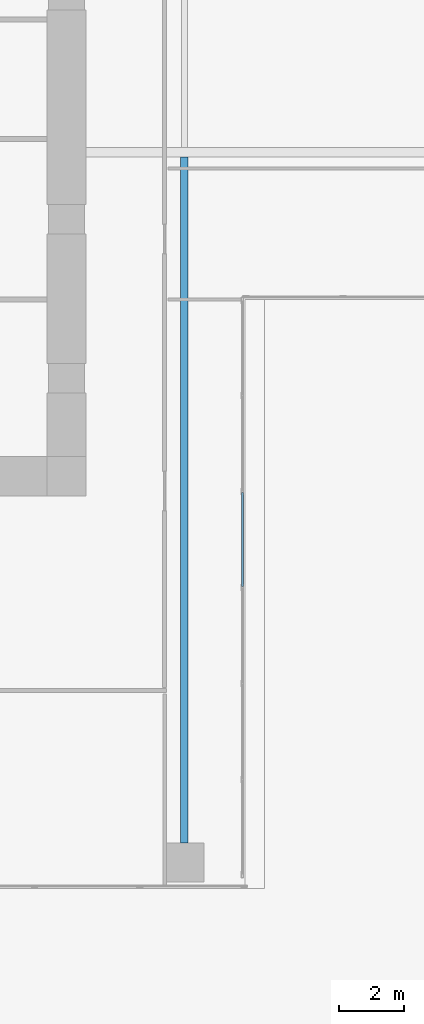
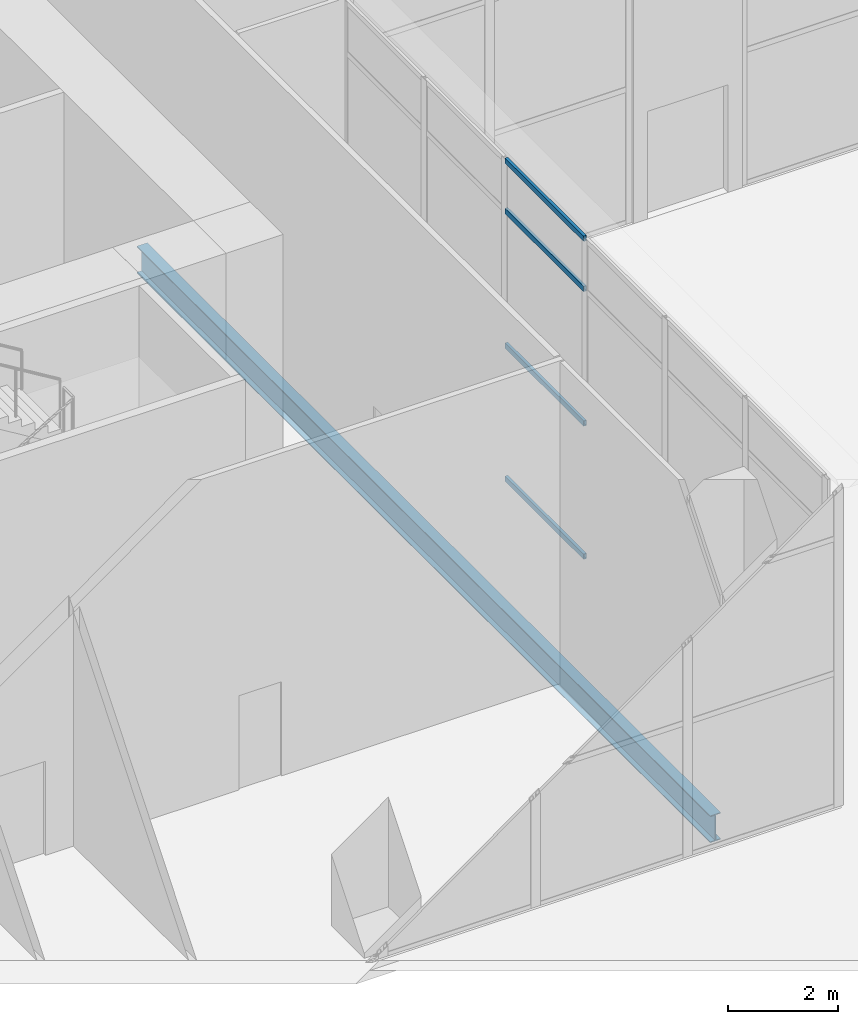
# One storey, part 8 of 52: 4 members, 1 beam, 1 element without a shape of its own.
"""IFC4 building model written with IfcOpenShell, lengths in metres."""

from ifc_helpers import new_model, si_unit, direction, frame, origin, origin_2d, place, context, subcontext, project, spatial, hollow_rectangle, i_section, extrude, source, transform, mapped, material, material_profile, profile_set, type_object, element, aggregate, save


model = new_model("IFC4")

# Units and contexts
model_context = context("Model", 3, precision=1e-05, world=origin(), true_north=direction((0.0, 1.0)))
body_context = subcontext(model_context, "Body", "Model", "MODEL_VIEW")
ifc_project = project(units=[si_unit("LENGTHUNIT", "METRE"), si_unit("AREAUNIT", "SQUARE_METRE"), si_unit("VOLUMEUNIT", "CUBIC_METRE"), si_unit("PLANEANGLEUNIT", "RADIAN"), si_unit("MASSUNIT", "GRAM", prefix="KILO")], contexts=[model_context])

# Site, building, storey
site_placement = place(None, origin())
site = spatial("IfcSite", under=ifc_project, at=site_placement, CompositionType="ELEMENT")
building_placement = place(site_placement, origin())
building = spatial("IfcBuilding", under=site, at=building_placement, Name="Khomas Fold Tower", CompositionType="ELEMENT")
storey_placement = place(building_placement, origin())
storey = spatial("IfcBuildingStorey", under=building, at=storey_placement, Name="L00", CompositionType="ELEMENT", Elevation=0.0)

# Beam
ifc_material_1 = material(Name="Steel S355", Category="steel")
ifc_material_profile_1 = material_profile(ifc_material_1, i_section(OverallWidth=0.219970703125, OverallDepth=0.60009765625, WebThickness=0.011962890625, FlangeThickness=0.01904296875, at=origin_2d()), Name="IPE 600")
ifc_profile_set_1 = profile_set([ifc_material_profile_1], Name="Steel S355")
beam_type = type_object("IfcBeamType", Name="IPE 600 beam JB7", PredefinedType="BEAM", material=ifc_profile_set_1)
shared_shape_1 = source(origin(), body_context, "Body", "SweptSolid", [
    extrude(i_section(OverallWidth=0.219970703125, OverallDepth=0.60009765625, WebThickness=0.011962890625, FlangeThickness=0.01904296875, at=origin_2d()), origin(), (0.0, 0.0, 1.0), 20.9501953125),
])
beam_placement = place(storey_placement, frame((27.0, 1.39990234375, -0.64990234375), z_axis=(0.0, 1.0, 0.0), x_axis=(-1.0, 0.0, 0.0)))
element("IfcBeam", 1, at=beam_placement, inside=storey, type_object=beam_type, Name="JB7", PredefinedType="BEAM", context=body_context, shape_type="MappedRepresentation", body=[
    mapped(shared_shape_1, transform((0.0, 0.0, 0.0))),
])

# Curtain wall, members
ifc_material_2 = material(Name="Aluminium framed double glazing", Category="aluminium")
curtain_wall_type = type_object("IfcCurtainWallType", Name="Shopfront glazing PD-CW", PredefinedType="NOTDEFINED", material=ifc_material_2)
curtain_wall_placement = place(storey_placement, origin())
curtain_wall = element("IfcCurtainWall", 2, at=curtain_wall_placement, inside=storey, type_object=curtain_wall_type, Name="Podium shopfront run", PredefinedType="NOTDEFINED")
ifc_material_3 = material(Name="Aluminium", Category="aluminium")
ifc_material_profile_2 = material_profile(ifc_material_3, hollow_rectangle(XDim=0.06005859375, YDim=0.1201171875, WallThickness=0.00390625, at=origin_2d()), Name="Shopfront glazing transom PD-CW-T")
ifc_profile_set_2 = profile_set([ifc_material_profile_2], Name="Aluminium")
member_type = type_object("IfcMemberType", Name="Shopfront glazing transom PD-CW-T", PredefinedType="USERDEFINED", material=ifc_profile_set_2)
shared_shape_2 = source(origin(), body_context, "Body", "SweptSolid", [
    extrude(hollow_rectangle(XDim=0.06005859375, YDim=0.1201171875, WallThickness=0.00390625, at=origin_2d()), origin(), (0.0, 0.0, 1.0), 2.873291015625),
])
member_1_placement = place(storey_placement, frame((28.77001953125, 9.22998046875, 0.030029296875), z_axis=(0.0, 1.0, 0.0), x_axis=(-1.0, 0.0, 0.0)))
member_1 = element("IfcMember", 3, at=member_1_placement, type_object=member_type, Name="PD-CW transom 4.1", ObjectType="TRANSOM", PredefinedType="USERDEFINED", context=body_context, shape_type="MappedRepresentation", body=[
    mapped(shared_shape_2, transform((0.0, 0.0, 0.0))),
])
member_2_placement = place(storey_placement, frame((28.77001953125, 9.22998046875, 3.0), z_axis=(0.0, 1.0, 0.0), x_axis=(-1.0, 0.0, 0.0)))
member_2 = element("IfcMember", 4, at=member_2_placement, type_object=member_type, Name="PD-CW transom 4.2", ObjectType="TRANSOM", PredefinedType="USERDEFINED", context=body_context, shape_type="MappedRepresentation", body=[
    mapped(shared_shape_2, transform((0.0, 0.0, 0.0))),
])
member_3_placement = place(storey_placement, frame((28.77001953125, 9.22998046875, 6.0), z_axis=(0.0, 1.0, 0.0), x_axis=(-1.0, 0.0, 0.0)))
member_3 = element("IfcMember", 5, at=member_3_placement, type_object=member_type, Name="PD-CW transom 4.3", ObjectType="TRANSOM", PredefinedType="USERDEFINED", context=body_context, shape_type="MappedRepresentation", body=[
    mapped(shared_shape_2, transform((0.0, 0.0, 0.0))),
])
member_4_placement = place(storey_placement, frame((28.77001953125, 9.22998046875, 7.1201171875), z_axis=(0.0, 1.0, 0.0), x_axis=(-1.0, 0.0, 0.0)))
member_4 = element("IfcMember", 6, at=member_4_placement, type_object=member_type, Name="PD-CW transom 4.4", ObjectType="TRANSOM", PredefinedType="USERDEFINED", context=body_context, shape_type="MappedRepresentation", body=[
    mapped(shared_shape_2, transform((0.0, 0.0, 0.0))),
])
aggregate(curtain_wall, [member_1, member_2, member_3, member_4])

save(model, "model.ifc")
